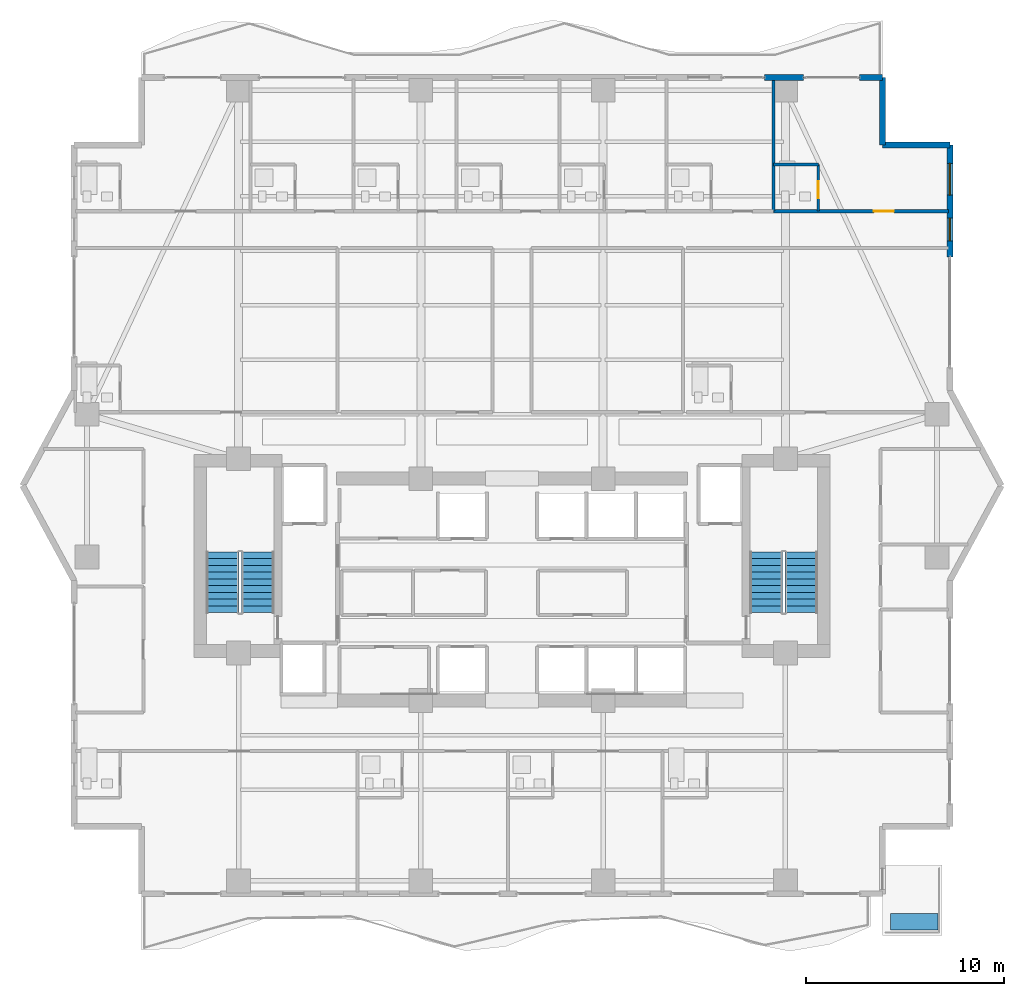
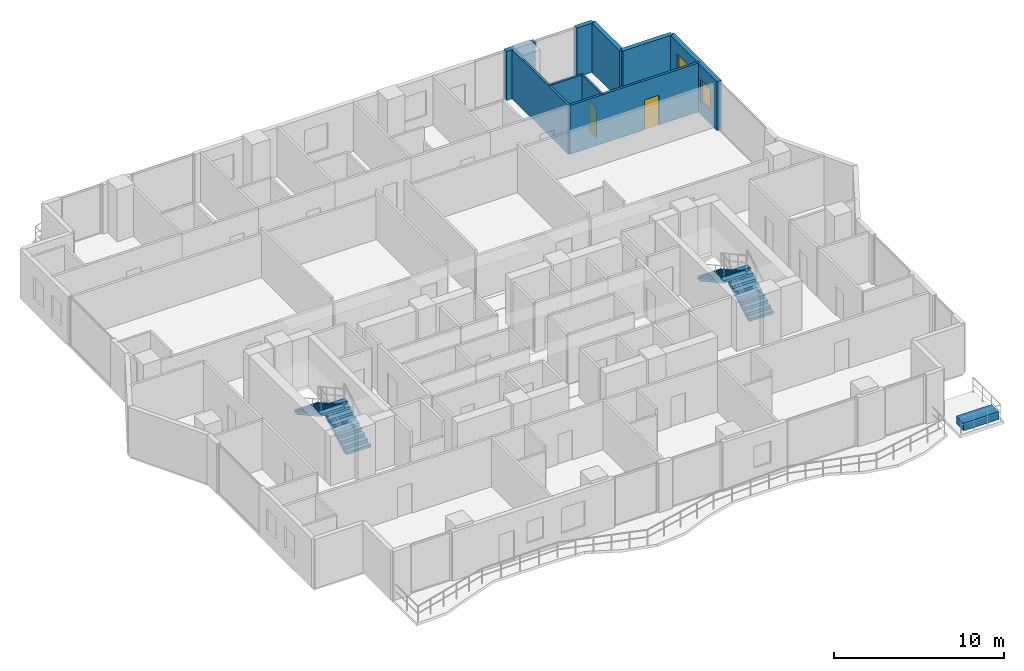
# One storey, part 28 of 32: 9 walls, 4 stair flights, 2 doors, 2 windows, 1 building element part, 4 openings, 2 elements without a shape of their own.
"""IFC4 building model written with IfcOpenShell, lengths in metres."""

from ifc_helpers import new_model, si_unit, direction, frame, frame_2d, origin, origin_2d, place, context, subcontext, project, spatial, polyline, rectangle, outline, extrude, material, layer, layer_set, type_object, element, fill, aggregate, save


model = new_model("IFC4")

# Units and contexts
model_context = context("Model", 3, precision=1e-05, world=origin(), true_north=direction((0.0, 1.0)))
body_context = subcontext(model_context, "Body", "Model", "MODEL_VIEW")
ifc_project = project(units=[si_unit("LENGTHUNIT", "METRE"), si_unit("AREAUNIT", "SQUARE_METRE"), si_unit("VOLUMEUNIT", "CUBIC_METRE"), si_unit("PLANEANGLEUNIT", "RADIAN"), si_unit("MASSUNIT", "GRAM", prefix="KILO")], contexts=[model_context])

# Site, building, storey
site_placement = place(None, origin())
site = spatial("IfcSite", under=ifc_project, at=site_placement, CompositionType="ELEMENT")
building_placement = place(site_placement, origin())
building = spatial("IfcBuilding", under=site, at=building_placement, Name="Zuhayl Quay Hotel", CompositionType="ELEMENT")
storey_placement = place(building_placement, frame((0.0, 0.0, 203.64990234375)))
storey = spatial("IfcBuildingStorey", under=building, at=storey_placement, Name="L51", CompositionType="ELEMENT", Elevation=203.64990234375)

# Walls
ifc_material_1 = material(Name="Precast concrete C45/55", Category="concrete")
ifc_layer_1 = layer(ifc_material_1, 0.300048828125, Name="Precast concrete C45/55", Category="concrete")
ifc_layer_set_1 = layer_set([ifc_layer_1], Name="Precast concrete C45/55")
wall_type_1 = type_object("IfcWallType", Name="WL_EXT_300", PredefinedType="STANDARD", material=ifc_layer_set_1)
wall_1_placement = place(storey_placement, frame((12.75, 33.60009765625, 0.0), z_axis=(0.0, 0.0, 1.0), x_axis=(1.0, 0.0, 0.0)))
element("IfcWall", 1, at=wall_1_placement, inside=storey, type_object=wall_type_1, Name="L51 Exterior Precast Wall ENV_L51_N_EW4", PredefinedType="STANDARD", context=body_context, shape_type="SweptSolid", body=[
    extrude(rectangle(XDim=1.969970703125, YDim=0.300048828125, at=frame_2d((0.98486328125, 0.0))), origin(), (0.0, 0.0, 1.0), 3.530029296875),
])
wall_2_placement = place(storey_placement, frame((17.550048828125, 33.60009765625, 0.0), z_axis=(0.0, 0.0, 1.0), x_axis=(1.0, 0.0, 0.0)))
element("IfcWall", 2, at=wall_2_placement, inside=storey, type_object=wall_type_1, Name="L51 Exterior Precast Wall ENV_L51_N_EW5", PredefinedType="STANDARD", context=body_context, shape_type="SweptSolid", body=[
    extrude(rectangle(XDim=1.14990234375, YDim=0.300048828125, at=frame_2d((0.574951171875, 0.0))), origin(), (0.0, 0.0, 1.0), 3.530029296875),
])
for number, where, z_axis, x_axis, name in (
    (3, (18.699951171875, 33.60009765625, 0.0), (0.0, 0.0, 1.0), (0.0, -1.0, 0.0), "L51 Exterior Precast Wall ENV_L51_EW09"),
    (4, (18.699951171875, 30.199951171875, 0.0), (0.0, 0.0, 1.0), (1.0, 0.0, 0.0), "L51 Exterior Precast Wall ENV_L51_EW10"),
):
    element("IfcWall", number, at=place(storey_placement, frame(where, z_axis=z_axis, x_axis=x_axis)), inside=storey, type_object=wall_type_1, Name=name, PredefinedType="STANDARD", context=body_context, shape_type="SweptSolid", body=[
        extrude(rectangle(XDim=3.400146484375, YDim=0.300048828125, at=frame_2d((1.7001953125, 0.0))), origin(), (0.0, 0.0, 1.0), 3.530029296875),
    ])

# Wall, openings, windows
wall_3_placement = place(storey_placement, frame((22.10009765625, 30.199951171875, 0.0), z_axis=(0.0, 0.0, 1.0), x_axis=(0.0, -1.0, 0.0)))
wall_3 = element("IfcWall", 5, at=wall_3_placement, inside=storey, type_object=wall_type_1, Name="L51 Exterior Precast Wall ENV_L51_E11_EW1", PredefinedType="STANDARD", context=body_context, shape_type="SweptSolid", body=[
    extrude(rectangle(XDim=5.64990234375, YDim=0.300048828125, at=frame_2d((2.824951171875, 0.0))), origin(), (0.0, 0.0, 1.0), 3.530029296875),
])
opening_1_placement = place(wall_3_placement, frame((0.93505859375, 0.0, 0.85009765625)))
opening_1 = element("IfcOpeningElement", 6, at=opening_1_placement, cuts=wall_3, Name="Opening W01", PredefinedType="OPENING", context=body_context, shape_type="SweptSolid", body=[
    extrude(rectangle(XDim=1.60009765625, YDim=1.800048828125, at=frame_2d((0.800048828125, 0.89990234375))), frame((0.0, 0.159912109375, 0.0), z_axis=(0.0, -1.0, 0.0), x_axis=(1.0, 0.0, 0.0)), (0.0, 0.0, 1.0), 0.320068359375),
])
opening_2_placement = place(wall_3_placement, frame((3.699951171875, 0.0, 0.949951171875)))
opening_2 = element("IfcOpeningElement", 7, at=opening_2_placement, cuts=wall_3, Name="Opening W01N", PredefinedType="OPENING", context=body_context, shape_type="SweptSolid", body=[
    extrude(rectangle(XDim=1.14990234375, YDim=1.550048828125, at=frame_2d((0.574951171875, 0.77490234375))), frame((0.0, 0.159912109375, 0.0), z_axis=(0.0, -1.0, 0.0), x_axis=(1.0, 0.0, 0.0)), (0.0, 0.0, 1.0), 0.320068359375),
])
ifc_material_2 = material(Name="Dark Ceramic-Fritted Solar Glass", Category="glass")
window_type_1 = type_object("IfcWindowType", Name="WN_NOTCH_1350", PartitioningType="SINGLE_PANEL", PredefinedType="WINDOW", material=ifc_material_2)
window_1_placement = place(opening_2_placement, origin())
window_1 = element("IfcWindow", 8, at=window_1_placement, inside=storey, type_object=window_type_1, Name="L51 Operable Facade Window 1-2", OverallHeight=1.550048828125, OverallWidth=1.14990234375, PartitioningType="SINGLE_PANEL", PredefinedType="WINDOW", context=body_context, shape_type="SweptSolid", body=[
    extrude(rectangle(XDim=1.14990234375, YDim=1.550048828125, at=frame_2d((0.574951171875, 0.77490234375))), frame((0.0, 0.030029296875, 0.0), z_axis=(0.0, -1.0, 0.0), x_axis=(1.0, 0.0, 0.0)), (0.0, 0.0, 1.0), 0.06005859375),
])
fill(opening_2, window_1)
window_type_2 = type_object("IfcWindowType", Name="WN_OPERABLE_1600", PartitioningType="DOUBLE_PANEL_VERTICAL", PredefinedType="WINDOW", material=ifc_material_2)
window_2_placement = place(opening_1_placement, origin())
window_2 = element("IfcWindow", 9, at=window_2_placement, inside=storey, type_object=window_type_2, Name="L51 Operable Facade Window 1-1", OverallHeight=1.800048828125, OverallWidth=1.60009765625, PartitioningType="SINGLE_PANEL", PredefinedType="WINDOW", context=body_context, shape_type="SweptSolid", body=[
    extrude(rectangle(XDim=1.60009765625, YDim=1.800048828125, at=frame_2d((0.800048828125, 0.89990234375))), frame((0.0, 0.030029296875, 0.0), z_axis=(0.0, -1.0, 0.0), x_axis=(1.0, 0.0, 0.0)), (0.0, 0.0, 1.0), 0.06005859375),
])
fill(opening_1, window_2)

# Wall
ifc_material_3 = material(Name="Acoustic Gypsum Partition STC-58")
ifc_layer_2 = layer(ifc_material_3, 0.14990234375, Name="Acoustic Gypsum Partition STC-58")
ifc_layer_set_2 = layer_set([ifc_layer_2], Name="Acoustic Gypsum Partition STC-58")
wall_type_2 = type_object("IfcWallType", Name="WL_PART_150", PredefinedType="PARTITIONING", material=ifc_layer_set_2)
wall_4_placement = place(storey_placement, frame((13.199951171875, 26.85009765625, 0.0), z_axis=(0.0, 0.0, 1.0), x_axis=(0.0, 1.0, 0.0)))
element("IfcWall", 10, at=wall_4_placement, inside=storey, type_object=wall_type_2, Name="L51 Partition IW_L51_NU06_E", PredefinedType="PARTITIONING", context=body_context, shape_type="SweptSolid", body=[
    extrude(rectangle(XDim=6.669921875, YDim=0.14990234375, at=frame_2d((3.3349609375, 0.0))), origin(), (0.0, 0.0, 1.0), 3.530029296875),
])

# Wall, opening, door
ifc_layer_3 = layer(ifc_material_3, 0.159912109375, Name="Acoustic Gypsum Partition STC-58")
ifc_layer_set_3 = layer_set([ifc_layer_3], Name="Acoustic Gypsum Partition STC-58")
wall_type_3 = type_object("IfcWallType", Name="WL_PART_CORR_160", PredefinedType="PARTITIONING", material=ifc_layer_set_3)
wall_5_placement = place(storey_placement, frame((13.199951171875, 26.85009765625, 0.0), z_axis=(0.0, 0.0, 1.0), x_axis=(1.0, 0.0, 0.0)))
wall_5 = element("IfcWall", 11, at=wall_5_placement, inside=storey, type_object=wall_type_3, Name="L51 Partition IW_L51_NU07_COR", PredefinedType="PARTITIONING", context=body_context, shape_type="SweptSolid", body=[
    extrude(rectangle(XDim=8.840087890625, YDim=0.159912109375, at=frame_2d((4.419921875, 0.0))), origin(), (0.0, 0.0, 1.0), 3.530029296875),
])
opening_3_placement = place(wall_5_placement, frame((5.070068359375, 0.0, 0.0)))
opening_3 = element("IfcOpeningElement", 12, at=opening_3_placement, cuts=wall_5, Name="Opening D03L", PredefinedType="OPENING", context=body_context, shape_type="SweptSolid", body=[
    extrude(rectangle(XDim=1.0, YDim=2.14990234375, at=frame_2d((0.5, 1.074951171875))), frame((0.0, 0.08984375, 0.0), z_axis=(0.0, -1.0, 0.0), x_axis=(1.0, 0.0, 0.0)), (0.0, 0.0, 1.0), 0.179931640625),
])
ifc_material_4 = material(Name="Solid Walnut Acoustic Fire Door")
door_type_1 = type_object("IfcDoorType", Name="DR_SUITE_1000", OperationType="NOTDEFINED", PredefinedType="DOOR", material=ifc_material_4)
door_1_placement = place(opening_3_placement, origin())
door_1 = element("IfcDoor", 13, at=door_1_placement, inside=storey, type_object=door_type_1, Name="L51 Panoramic Gulf Guest Room L51-07 Entrance Door", OperationType="SINGLE_SWING_RIGHT", OverallHeight=2.14990234375, OverallWidth=1.0, PredefinedType="DOOR", context=body_context, shape_type="SweptSolid", body=[
    extrude(rectangle(XDim=1.0, YDim=2.14990234375, at=frame_2d((0.5, 1.074951171875))), frame((0.0, 0.02490234375, 0.0), z_axis=(0.0, -1.0, 0.0), x_axis=(1.0, 0.0, 0.0)), (0.0, 0.0, 1.0), 0.050048828125),
])
fill(opening_3, door_1)

ifc_material_5 = material(Name="Moisture-Resistant Sanitarychase Gypsum")
ifc_layer_4 = layer(ifc_material_5, 0.135009765625, Name="Moisture-Resistant Sanitarychase Gypsum")
ifc_layer_set_4 = layer_set([ifc_layer_4], Name="Moisture-Resistant Sanitarychase Gypsum")
wall_type_4 = type_object("IfcWallType", Name="WL_PART_PLUMB_150", PredefinedType="PLUMBINGWALL", material=ifc_layer_set_4)
wall_6_placement = place(storey_placement, frame((15.4599609375, 26.85009765625, 0.0), z_axis=(0.0, 0.0, 1.0), x_axis=(0.0, 1.0, 0.0)))
wall_6 = element("IfcWall", 14, at=wall_6_placement, inside=storey, type_object=wall_type_4, Name="L51 Partition IW_L51_NU07_BE", PredefinedType="PLUMBINGWALL", context=body_context, shape_type="SweptSolid", body=[
    extrude(rectangle(XDim=2.35986328125, YDim=0.135009765625, at=frame_2d((1.179931640625, 0.0))), origin(), (0.0, 0.0, 1.0), 3.530029296875),
])
opening_4_placement = place(wall_6_placement, frame((0.64990234375, 0.0, 0.0)))
opening_4 = element("IfcOpeningElement", 15, at=opening_4_placement, cuts=wall_6, Name="Opening D04", PredefinedType="OPENING", context=body_context, shape_type="SweptSolid", body=[
    extrude(rectangle(XDim=0.85009765625, YDim=2.10009765625, at=frame_2d((0.425048828125, 1.050048828125))), frame((0.0, 0.077392578125, 0.0), z_axis=(0.0, -1.0, 0.0), x_axis=(1.0, 0.0, 0.0)), (0.0, 0.0, 1.0), 0.155029296875),
])
ifc_material_6 = material(Name="Moisture-Resistant Walnut Veneer")
door_type_2 = type_object("IfcDoorType", Name="DR_BATH_850", OperationType="NOTDEFINED", PredefinedType="DOOR", material=ifc_material_6)
door_2_placement = place(opening_4_placement, origin())
door_2 = element("IfcDoor", 16, at=door_2_placement, inside=storey, type_object=door_type_2, Name="L51 Panoramic Gulf Guest Room L51-07 En-Suite Door", OperationType="SINGLE_SWING_LEFT", OverallHeight=2.10009765625, OverallWidth=0.85009765625, PredefinedType="DOOR", context=body_context, shape_type="SweptSolid", body=[
    extrude(rectangle(XDim=0.85009765625, YDim=2.10009765625, at=frame_2d((0.425048828125, 1.050048828125))), frame((0.0, 0.02490234375, 0.0), z_axis=(0.0, -1.0, 0.0), x_axis=(1.0, 0.0, 0.0)), (0.0, 0.0, 1.0), 0.050048828125),
])
fill(opening_4, door_2)

# Wall
wall_7_placement = place(storey_placement, frame((13.199951171875, 29.2099609375, 0.0), z_axis=(0.0, 0.0, 1.0), x_axis=(1.0, 0.0, 0.0)))
element("IfcWall", 17, at=wall_7_placement, inside=storey, type_object=wall_type_4, Name="L51 Partition IW_L51_NU07_BN", PredefinedType="PLUMBINGWALL", context=body_context, shape_type="SweptSolid", body=[
    extrude(rectangle(XDim=2.260009765625, YDim=0.135009765625, at=frame_2d((1.1298828125, 0.0))), origin(), (0.0, 0.0, 1.0), 3.530029296875),
])

# Stair, stair flights
ifc_material_7 = material(Name="Concrete C45/55", Category="concrete")
stair_type = type_object("IfcStairType", Name="ST_DOGLEG_TOWER", PredefinedType="HALF_TURN_STAIR", material=ifc_material_7)
stair_1_placement = place(storey_placement, origin())
stair_1 = element("IfcStair", 18, at=stair_1_placement, inside=storey, type_object=stair_type, Name="L51 Smokeproof Exit Stair ST1", PredefinedType="HALF_TURN_STAIR")
ifc_layer_5 = layer(ifc_material_7, 0.159912109375, Name="Concrete C45/55", Category="concrete")
ifc_layer_set_5 = layer_set([ifc_layer_5], Name="Concrete C45/55")
stair_flight_type = type_object("IfcStairFlightType", Name="SF_CONC_164", PredefinedType="STRAIGHT", material=ifc_layer_set_5)
stair_flight_1_placement = place(storey_placement, frame((-12.820068359375, 6.590087890625, 0.0), z_axis=(0.0, 0.0, 1.0), x_axis=(0.0, 1.0, 0.0)))
stair_flight_1 = element("IfcStairFlight", 19, at=stair_flight_1_placement, type_object=stair_flight_type, Name="ST1 flight 1", NumberOfRisers=10, NumberOfTreads=9, PredefinedType="STRAIGHT", RiserHeight=0.1875, TreadLength=0.34, context=body_context, shape_type="SweptSolid", body=[
    extrude(outline(polyline([(0.0, 0.0), (0.0, 0.1875), (0.340087890625, 0.1875), (0.340087890625, 0.375), (0.679931640625, 0.375), (0.679931640625, 0.5625), (1.02001953125, 0.5625), (1.02001953125, 0.75), (1.360107421875, 0.75), (1.360107421875, 0.9375), (1.699951171875, 0.9375), (1.699951171875, 1.125), (2.0400390625, 1.125), (2.0400390625, 1.3125), (2.3798828125, 1.3125), (2.3798828125, 1.5), (2.719970703125, 1.5), (2.719970703125, 1.6875), (3.06005859375, 1.6875), (3.06005859375, 1.875), (3.06005859375, 1.516357421875), (0.310302734375, 0.0), (0.0, 0.0)])), frame((0.0, 0.81982421875, 0.0), z_axis=(0.0, -1.0, 0.0), x_axis=(1.0, 0.0, 0.0)), (0.0, 0.0, 1.0), 1.639892578125),
])
stair_flight_2_placement = place(storey_placement, frame((-14.610107421875, 9.64990234375, 1.875), z_axis=(0.0, 0.0, 1.0), x_axis=(0.0, -1.0, 0.0)))
stair_flight_2 = element("IfcStairFlight", 20, at=stair_flight_2_placement, type_object=stair_flight_type, Name="ST1 flight 2", NumberOfRisers=10, NumberOfTreads=9, PredefinedType="STRAIGHT", RiserHeight=0.1875, TreadLength=0.34, context=body_context, shape_type="SweptSolid", body=[
    extrude(outline(polyline([(0.0, 0.0), (0.0, 0.1875), (0.340087890625, 0.1875), (0.340087890625, 0.375), (0.679931640625, 0.375), (0.679931640625, 0.5625), (1.02001953125, 0.5625), (1.02001953125, 0.75), (1.360107421875, 0.75), (1.360107421875, 0.9375), (1.699951171875, 0.9375), (1.699951171875, 1.125), (2.0400390625, 1.125), (2.0400390625, 1.3125), (2.3798828125, 1.3125), (2.3798828125, 1.5), (2.719970703125, 1.5), (2.719970703125, 1.6875), (3.06005859375, 1.6875), (3.06005859375, 1.875), (3.06005859375, 1.516357421875), (0.310302734375, 0.0), (0.0, 0.0)])), frame((0.0, 0.81982421875, 0.0), z_axis=(0.0, -1.0, 0.0), x_axis=(1.0, 0.0, 0.0)), (0.0, 0.0, 1.0), 1.639892578125),
])
aggregate(stair_1, [stair_flight_1, stair_flight_2])

stair_2_placement = place(storey_placement, origin())
stair_2 = element("IfcStair", 21, at=stair_2_placement, inside=storey, type_object=stair_type, Name="L51 Smokeproof Exit Stair ST2", PredefinedType="HALF_TURN_STAIR")
stair_flight_3_placement = place(storey_placement, frame((14.610107421875, 6.590087890625, 0.0), z_axis=(0.0, 0.0, 1.0), x_axis=(0.0, 1.0, 0.0)))
stair_flight_3 = element("IfcStairFlight", 22, at=stair_flight_3_placement, type_object=stair_flight_type, Name="ST2 flight 1", NumberOfRisers=10, NumberOfTreads=9, PredefinedType="STRAIGHT", RiserHeight=0.1875, TreadLength=0.34, context=body_context, shape_type="SweptSolid", body=[
    extrude(outline(polyline([(0.0, 0.0), (0.0, 0.1875), (0.340087890625, 0.1875), (0.340087890625, 0.375), (0.679931640625, 0.375), (0.679931640625, 0.5625), (1.02001953125, 0.5625), (1.02001953125, 0.75), (1.360107421875, 0.75), (1.360107421875, 0.9375), (1.699951171875, 0.9375), (1.699951171875, 1.125), (2.0400390625, 1.125), (2.0400390625, 1.3125), (2.3798828125, 1.3125), (2.3798828125, 1.5), (2.719970703125, 1.5), (2.719970703125, 1.6875), (3.06005859375, 1.6875), (3.06005859375, 1.875), (3.06005859375, 1.516357421875), (0.310302734375, 0.0), (0.0, 0.0)])), frame((0.0, 0.81982421875, 0.0), z_axis=(0.0, -1.0, 0.0), x_axis=(1.0, 0.0, 0.0)), (0.0, 0.0, 1.0), 1.639892578125),
])
stair_flight_4_placement = place(storey_placement, frame((12.820068359375, 9.64990234375, 1.875), z_axis=(0.0, 0.0, 1.0), x_axis=(0.0, -1.0, 0.0)))
stair_flight_4 = element("IfcStairFlight", 23, at=stair_flight_4_placement, type_object=stair_flight_type, Name="ST2 flight 2", NumberOfRisers=10, NumberOfTreads=9, PredefinedType="STRAIGHT", RiserHeight=0.1875, TreadLength=0.34, context=body_context, shape_type="SweptSolid", body=[
    extrude(outline(polyline([(0.0, 0.0), (0.0, 0.1875), (0.340087890625, 0.1875), (0.340087890625, 0.375), (0.679931640625, 0.375), (0.679931640625, 0.5625), (1.02001953125, 0.5625), (1.02001953125, 0.75), (1.360107421875, 0.75), (1.360107421875, 0.9375), (1.699951171875, 0.9375), (1.699951171875, 1.125), (2.0400390625, 1.125), (2.0400390625, 1.3125), (2.3798828125, 1.3125), (2.3798828125, 1.5), (2.719970703125, 1.5), (2.719970703125, 1.6875), (3.06005859375, 1.6875), (3.06005859375, 1.875), (3.06005859375, 1.516357421875), (0.310302734375, 0.0), (0.0, 0.0)])), frame((0.0, 0.81982421875, 0.0), z_axis=(0.0, -1.0, 0.0), x_axis=(1.0, 0.0, 0.0)), (0.0, 0.0, 1.0), 1.639892578125),
])
aggregate(stair_2, [stair_flight_3, stair_flight_4])

# Building element part
ifc_layer_6 = layer(ifc_material_1, 0.550048828125, Name="Precast concrete C45/55", Category="concrete")
ifc_layer_set_6 = layer_set([ifc_layer_6], Name="Precast concrete C45/55")
building_element_part_type = type_object("IfcBuildingElementPartType", Name="PT_PLANTER_KERB", PredefinedType="PRECASTPANEL", material=ifc_layer_set_6)
building_element_part_placement = place(storey_placement, frame((20.31005859375, -9.010009765625, 0.0), z_axis=(0.0, 0.0, 1.0), x_axis=(1.0, 0.0, 0.0)))
element("IfcBuildingElementPart", 24, at=building_element_part_placement, inside=storey, type_object=building_element_part_type, Name="L51 Spiral Sky-Terrace Planter Box SE", PredefinedType="PRECASTPANEL", context=body_context, shape_type="SweptSolid", body=[
    extrude(rectangle(XDim=2.39990234375, YDim=0.85009765625, at=origin_2d()), origin(), (0.0, 0.0, 1.0), 0.550048828125),
])

save(model, "model.ifc")
